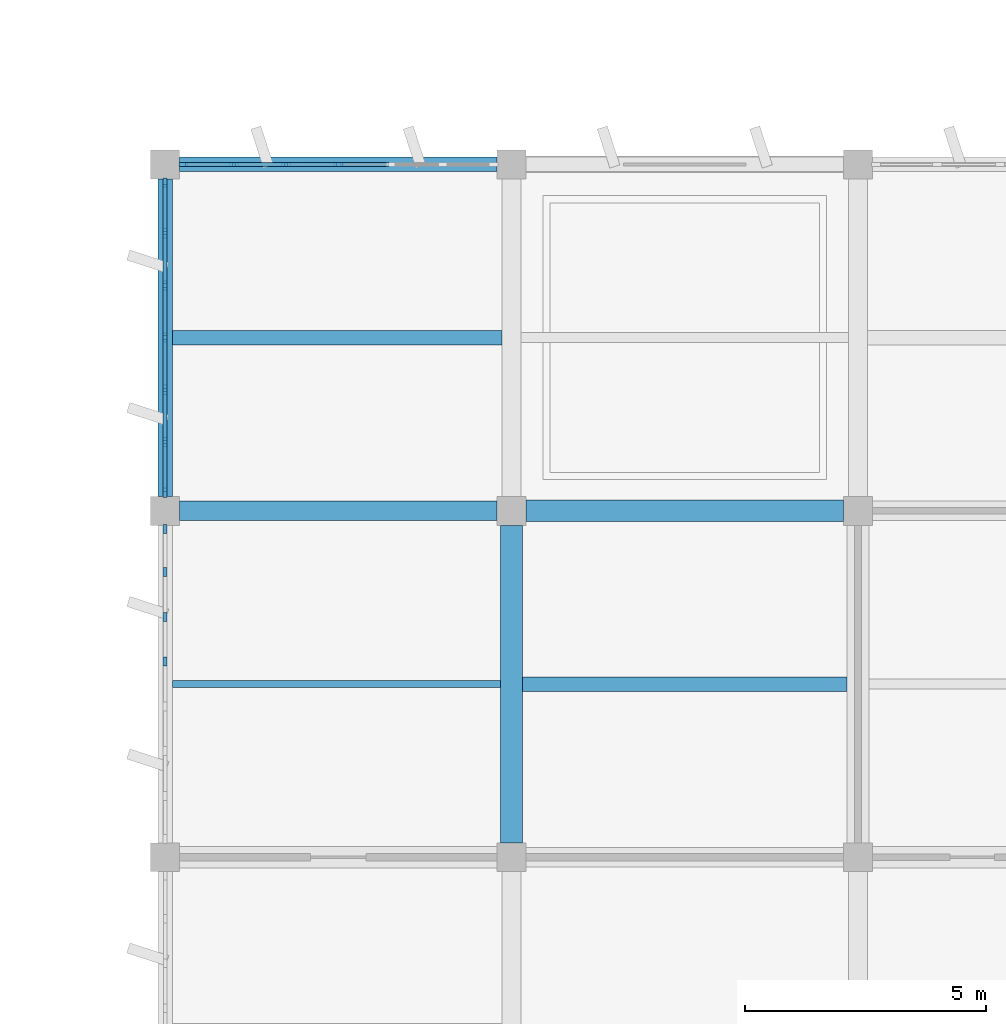
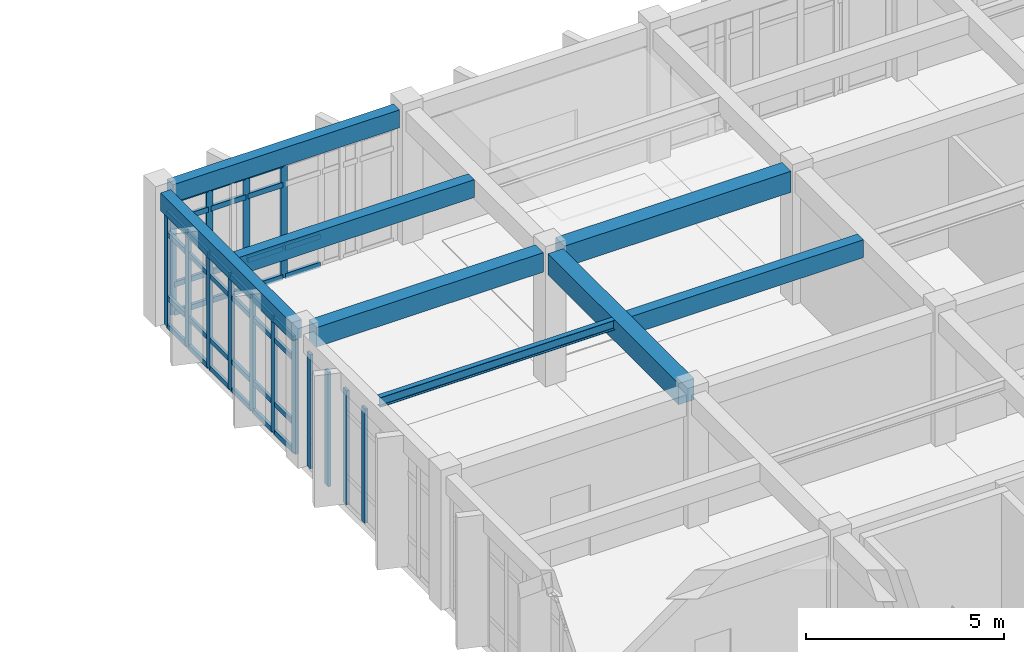
# One storey, part 9 of 70: 54 members, 7 beams, 3 elements without a shape of their own.
"""IFC4 building model written with IfcOpenShell, lengths in metres."""

import ifcopenshell
import ifcopenshell.guid

model = None  # the IFC model being written
_history = None  # IfcOwnerHistory: only IFC2X3 demands one
_inside = {}  # id of a spatial element -> (the spatial element, [elements in it])
_under = {}  # id of a project, library or spatial element -> (it, [spatial elements below it])
_declared = {}  # id of a project -> (the project, [libraries it declares])
_typed = {}  # id of a type object -> (the type object, [elements of that type])
_made_of = {}  # id of a material, layer set ... -> (it, [elements and type objects made of it])


def new_model(schema):
    """Start an empty IFC model of exactly this schema.

    Asked for "IFC4X3", IfcOpenShell would pick the latest addendum, in which some entities
    have other attributes; the version numbers below select the first issue.
    IFC2X3 requires an IfcOwnerHistory on every rooted entity: one is made here for all.
    """
    global model, _history
    if schema == "IFC4X3":
        model = ifcopenshell.file(schema_version=(4, 3, 0, 0))
    else:
        model = ifcopenshell.file(schema=schema)
    _inside.clear()
    _under.clear()
    _declared.clear()
    _typed.clear()
    _made_of.clear()
    _history = None
    if model.schema == "IFC2X3":
        org = make("IfcOrganization", Name="unknown")
        user = make(
            "IfcPersonAndOrganization",
            ThePerson=make("IfcPerson", FamilyName="unknown"),
            TheOrganization=org,
        )
        app = make(
            "IfcApplication",
            ApplicationDeveloper=org,
            Version="unknown",
            ApplicationFullName="unknown",
            ApplicationIdentifier="unknown",
        )
        _history = make(
            "IfcOwnerHistory",
            OwningUser=user,
            OwningApplication=app,
            ChangeAction="ADDED",
            CreationDate=0,
        )
    return model


def make(cls, **values):
    """One entity of the class cls with the attributes given. An attribute that is None is left unset."""
    return model.create_entity(
        cls, **{name: value for name, value in values.items() if value is not None}
    )


def rooted(cls, **values):
    """An entity with a GlobalId (a new one), such as an element, a storey or a relation."""
    return make(cls, GlobalId=ifcopenshell.guid.new(), OwnerHistory=_history, **values)


def si_unit(unit_type, name, prefix=None):
    """IfcSIUnit, for example si_unit("LENGTHUNIT", "METRE", prefix="MILLI")."""
    return make("IfcSIUnit", UnitType=unit_type, Prefix=prefix, Name=name)


def assignment(units):
    """IfcUnitAssignment: the units of a project."""
    return None if units is None else make("IfcUnitAssignment", Units=units)


def point(xyz):
    """IfcCartesianPoint."""
    return None if xyz is None else make("IfcCartesianPoint", Coordinates=xyz)


def direction(xyz):
    """IfcDirection."""
    return None if xyz is None else make("IfcDirection", DirectionRatios=xyz)


def frame(location, z_axis=None, x_axis=None):
    """IfcAxis2Placement3D, a coordinate frame: its origin and axes. An axis left out is left unset."""
    return make(
        "IfcAxis2Placement3D",
        Location=point(location),
        Axis=direction(z_axis),
        RefDirection=direction(x_axis),
    )


def frame_2d(location, x_axis=None):
    """IfcAxis2Placement2D, a coordinate frame in the plane: its origin and x axis."""
    return make(
        "IfcAxis2Placement2D", Location=point(location), RefDirection=direction(x_axis)
    )


def origin():
    """The frame at (0, 0, 0) with its axes left unset."""
    return frame((0.0, 0.0, 0.0))


def origin_2d():
    """The frame at (0, 0) in the plane with its x axis left unset."""
    return frame_2d((0.0, 0.0))


def place(relative_to, where):
    """IfcLocalPlacement: puts the frame where relative to a parent placement (None: the world)."""
    return make(
        "IfcLocalPlacement", PlacementRelTo=relative_to, RelativePlacement=where
    )


def context(
    kind, dimensions, precision=None, world=None, true_north=None, identifier=None
):
    """IfcGeometricRepresentationContext, for example the 3D "Model" context."""
    return make(
        "IfcGeometricRepresentationContext",
        ContextIdentifier=identifier,
        ContextType=kind,
        CoordinateSpaceDimension=dimensions,
        Precision=precision,
        WorldCoordinateSystem=world,
        TrueNorth=true_north,
    )


def subcontext(parent, identifier, kind, view, scale=None):
    """IfcGeometricRepresentationSubContext, for example "Body" below "Model"."""
    return make(
        "IfcGeometricRepresentationSubContext",
        ContextIdentifier=identifier,
        ContextType=kind,
        ParentContext=parent,
        TargetScale=scale,
        TargetView=view,
    )


def project(units=None, contexts=None):
    """IfcProject with its units and contexts."""
    return rooted(
        "IfcProject",
        Name="project",
        RepresentationContexts=contexts,
        UnitsInContext=assignment(units),
    )


def spatial(cls, under=None, at=None, **own):
    """A site, building, storey or space (cls), placed at a placement, below another one or the project."""
    s = rooted(cls, ObjectPlacement=at, **own)
    if under is not None:
        _under.setdefault(under.id(), (under, []))[1].append(s)
    return s


def profile(cls, at=None, kind="AREA", **sizes):
    """A parametric profile (cls). Its sizes go by their IFC names, for example OverallWidth=200.0."""
    return make(cls, ProfileType=kind, Position=at, **sizes)


def rectangle(**sizes):
    """IfcRectangleProfileDef."""
    return profile("IfcRectangleProfileDef", **sizes)


def i_section(**sizes):
    """IfcIShapeProfileDef."""
    return profile("IfcIShapeProfileDef", **sizes)


def extrude(swept, where, along, depth):
    """IfcExtrudedAreaSolid: the profile swept, set in the frame where, extruded along a direction by depth."""
    return make(
        "IfcExtrudedAreaSolid",
        SweptArea=swept,
        Position=where,
        ExtrudedDirection=direction(along),
        Depth=depth,
    )


def shape(context_of_items, identifier, shape_type, items):
    """IfcShapeRepresentation: the items that make up one representation, for example the "Body"."""
    return make(
        "IfcShapeRepresentation",
        ContextOfItems=context_of_items,
        RepresentationIdentifier=identifier,
        RepresentationType=shape_type,
        Items=items,
    )


def material(Name=None, Category=None):
    """IfcMaterial."""
    return make("IfcMaterial", Name=Name, Category=Category)


def layer(
    of_material, thickness, ventilated=None, Name=None, Category=None, Priority=None
):
    """IfcMaterialLayer: one layer of a wall or slab, of a material (None: an air gap)."""
    return make(
        "IfcMaterialLayer",
        Material=of_material,
        LayerThickness=thickness,
        IsVentilated=ventilated,
        Name=Name,
        Category=Category,
        Priority=Priority,
    )


def layer_set(layers, Name=None):
    """IfcMaterialLayerSet."""
    return make("IfcMaterialLayerSet", MaterialLayers=layers, LayerSetName=Name)


def material_profile(
    of_material, cross_section, Name=None, Category=None, Priority=None
):
    """IfcMaterialProfile: a cross section and its material."""
    return make(
        "IfcMaterialProfile",
        Name=Name,
        Material=of_material,
        Profile=cross_section,
        Priority=Priority,
        Category=Category,
    )


def profile_set(profiles, Name=None, composite=None):
    """IfcMaterialProfileSet."""
    return make(
        "IfcMaterialProfileSet",
        Name=Name,
        MaterialProfiles=profiles,
        CompositeProfile=composite,
    )


def made_of(thing, what):
    """Note that an element or type object is made of a material, layer set ...; save() writes the relation."""
    if what is not None:
        _made_of.setdefault(what.id(), (what, []))[1].append(thing)
    return thing


def type_object(cls, material=None, **own):
    """A type object (cls), such as IfcWallType, which elements share."""
    return made_of(rooted(cls, **own), material)


def element(
    cls,
    number,
    at=None,
    inside=None,
    cuts=None,
    type_object=None,
    material=None,
    context=None,
    identifier="Body",
    shape_type=None,
    held_by="IfcProductDefinitionShape",
    body=None,
    shapes=None,
    **own,
):
    """One element of the class cls, such as IfcWall. Its Tag is "e" and its number.

    at: its placement. inside: the storey or other place that contains it. cuts: it is an
    opening in that element (IfcRelVoidsElement). A single representation is given by context,
    identifier, shape_type and body (its items); several are given by shapes. held_by: the class
    of the entity that holds the representations. save() writes the other relations.
    """
    e = rooted(cls, Tag="e%d" % number, ObjectPlacement=at, **own)
    if body is not None:
        shapes = [shape(context, identifier, shape_type, body)]
    if shapes is not None:
        e.Representation = make(held_by, Representations=shapes)
    if inside is not None:
        _inside.setdefault(inside.id(), (inside, []))[1].append(e)
    if cuts is not None:
        rooted(
            "IfcRelVoidsElement", RelatingBuildingElement=cuts, RelatedOpeningElement=e
        )
    if type_object is not None:
        _typed.setdefault(type_object.id(), (type_object, []))[1].append(e)
    return made_of(e, material)


def aggregate(whole, parts):
    """IfcRelAggregates: a whole, such as a stair, and the parts it consists of."""
    return rooted("IfcRelAggregates", RelatingObject=whole, RelatedObjects=parts)


def save(model, path):
    """Write the relations noted so far, then the file.

    IfcRelAggregates (storeys below a building ...), IfcRelContainedInSpatialStructure (elements
    in a storey), IfcRelDefinesByType, IfcRelAssociatesMaterial and IfcRelDeclares: one each for
    every whole, place, type object, material and project.
    """
    for whole, parts in _under.values():
        aggregate(whole, parts)
    for where, things in _inside.values():
        rooted(
            "IfcRelContainedInSpatialStructure",
            RelatedElements=things,
            RelatingStructure=where,
        )
    for kind, things in _typed.values():
        rooted("IfcRelDefinesByType", RelatedObjects=things, RelatingType=kind)
    for what, things in _made_of.values():
        rooted("IfcRelAssociatesMaterial", RelatedObjects=things, RelatingMaterial=what)
    for by, libraries in _declared.values():
        rooted("IfcRelDeclares", RelatingContext=by, RelatedDefinitions=libraries)
    model.write(path)


model = new_model("IFC4")

# Units and contexts
model_context = context("Model", 3, precision=1e-05, world=origin(), true_north=direction((0.0, 1.0)))
body_context = subcontext(model_context, "Body", "Model", "MODEL_VIEW")
ifc_project = project(units=[si_unit("LENGTHUNIT", "METRE"), si_unit("AREAUNIT", "SQUARE_METRE"), si_unit("VOLUMEUNIT", "CUBIC_METRE"), si_unit("PLANEANGLEUNIT", "RADIAN"), si_unit("MASSUNIT", "GRAM", prefix="KILO")], contexts=[model_context])

# Site, building, storey
site_placement = place(None, origin())
site = spatial("IfcSite", under=ifc_project, at=site_placement, CompositionType="ELEMENT")
building_placement = place(site_placement, origin())
building = spatial("IfcBuilding", under=site, at=building_placement, Name="Kavelor Marine Aquarium", CompositionType="ELEMENT")
storey_placement = place(building_placement, frame((0.0, 0.0, 9.179931640625)))
storey = spatial("IfcBuildingStorey", under=building, at=storey_placement, Name="L02", CompositionType="ELEMENT", Elevation=9.179931640625)

# Beams
ifc_material_1 = material(Name="Concrete C40/50", Category="concrete")
ifc_material_profile_1 = material_profile(ifc_material_1, rectangle(XDim=0.449951171875, YDim=0.64990234375, at=origin_2d()), Name="RC-BM 450x650")
ifc_profile_set_1 = profile_set([ifc_material_profile_1], Name="Concrete C40/50")
beam_type_1 = type_object("IfcBeamType", Name="BM-B3", PredefinedType="BEAM", material=ifc_profile_set_1)
for number, where, z_axis, x_axis, name in (
    (1, (125.89990234375, 24.39990234375, 3.755126953125), (1.0, 0.0, 0.0), (0.0, 1.0, 0.0), "bm:x:L02:L03:17_03"),
    (2, (125.60009765625, 17.5, 3.755126953125), (0.0, 1.0, 0.0), (-1.0, 0.0, 0.0), "bm:y:L02:L03:17_02"),
):
    element("IfcBeam", number, at=place(storey_placement, frame(where, z_axis=z_axis, x_axis=x_axis)), inside=storey, type_object=beam_type_1, Name=name, PredefinedType="BEAM", context=body_context, shape_type="SweptSolid", body=[
        extrude(rectangle(XDim=0.449951171875, YDim=0.64990234375, at=origin_2d()), origin(), (0.0, 0.0, 1.0), 6.60009765625),
    ])
ifc_material_2 = material(Name="Concrete C40/50", Category="concrete")
ifc_material_profile_2 = material_profile(ifc_material_2, rectangle(XDim=0.39990234375, YDim=0.60009765625, at=origin_2d()), Name="RC-BM 400x600")
ifc_profile_set_2 = profile_set([ifc_material_profile_2], Name="Concrete C40/50")
beam_type_2 = type_object("IfcBeamType", Name="BM-B4", PredefinedType="BEAM", material=ifc_profile_set_2)
beam_1_placement = place(storey_placement, frame((118.699951171875, 24.39990234375, 3.780029296875), z_axis=(1.0, 0.0, 0.0), x_axis=(0.0, 1.0, 0.0)))
element("IfcBeam", 3, at=beam_1_placement, inside=storey, type_object=beam_type_2, Name="bm:x:L02:L03:16_03", PredefinedType="BEAM", context=body_context, shape_type="SweptSolid", body=[
    extrude(rectangle(XDim=0.39990234375, YDim=0.60009765625, at=origin_2d()), origin(), (0.0, 0.0, 1.0), 6.60009765625),
])
ifc_material_3 = material(Name="Concrete C40/50", Category="concrete")
ifc_material_profile_3 = material_profile(ifc_material_3, rectangle(XDim=0.300048828125, YDim=0.550048828125, at=origin_2d()), Name="RC-JS 300x550")
ifc_profile_set_3 = profile_set([ifc_material_profile_3], Name="Concrete C40/50")
beam_type_3 = type_object("IfcBeamType", Name="BM-JS2", PredefinedType="JOIST", material=ifc_profile_set_3)
beam_2_placement = place(storey_placement, frame((118.550048828125, 28.0, 3.80517578125), z_axis=(1.0, 0.0, 0.0), x_axis=(0.0, 1.0, 0.0)))
element("IfcBeam", 4, at=beam_2_placement, inside=storey, type_object=beam_type_3, Name="js:L02:L03:16_03", PredefinedType="JOIST", context=body_context, shape_type="SweptSolid", body=[
    extrude(rectangle(XDim=0.300048828125, YDim=0.550048828125, at=origin_2d()), origin(), (0.0, 0.0, 1.0), 6.849853515625),
])
beam_3_placement = place(storey_placement, frame((125.824951171875, 20.800048828125, 3.80517578125), z_axis=(1.0, 0.0, 0.0), x_axis=(0.0, 1.0, 0.0)))
element("IfcBeam", 5, at=beam_3_placement, inside=storey, type_object=beam_type_3, Name="js:L02:L03:17_02", PredefinedType="JOIST", context=body_context, shape_type="SweptSolid", body=[
    extrude(rectangle(XDim=0.300048828125, YDim=0.550048828125, at=origin_2d()), origin(), (0.0, 0.0, 1.0), 6.75),
])
ifc_material_4 = material(Name="Concrete C40/50", Category="concrete")
ifc_material_profile_4 = material_profile(ifc_material_4, rectangle(XDim=0.300048828125, YDim=0.550048828125, at=origin_2d()), Name="RC-SP 300x550")
ifc_profile_set_4 = profile_set([ifc_material_profile_4], Name="Concrete C40/50")
beam_type_4 = type_object("IfcBeamType", Name="BM-SP2", PredefinedType="SPANDREL", material=ifc_profile_set_4)
for number, where, z_axis, x_axis, name in (
    (6, (118.699951171875, 31.60009765625, 3.80517578125), (1.0, 0.0, 0.0), (0.0, 1.0, 0.0), "bm:x:L02:L03:16_04"),
    (7, (118.39990234375, 24.699951171875, 3.80517578125), (0.0, 1.0, 0.0), (-1.0, 0.0, 0.0), "bm:y:L02:L03:16_03"),
):
    element("IfcBeam", number, at=place(storey_placement, frame(where, z_axis=z_axis, x_axis=x_axis)), inside=storey, type_object=beam_type_4, Name=name, PredefinedType="SPANDREL", context=body_context, shape_type="SweptSolid", body=[
        extrude(rectangle(XDim=0.300048828125, YDim=0.550048828125, at=origin_2d()), origin(), (0.0, 0.0, 1.0), 6.60009765625),
    ])

# Curtain wall, members
ifc_material_5 = material(Name="Thermally Broken Aluminium and Low-E Glass", Category="aluminium")
ifc_layer_1 = layer(ifc_material_5, 0.179931640625)
ifc_layer_set_1 = layer_set([ifc_layer_1], Name="CW-SYS5")
curtain_wall_type_1 = type_object("IfcCurtainWallType", Name="CW-SYS5", PredefinedType="USERDEFINED", material=ifc_layer_set_1)
curtain_wall_1_placement = place(storey_placement, origin())
curtain_wall_1 = element("IfcCurtainWall", 8, at=curtain_wall_1_placement, inside=storey, type_object=curtain_wall_type_1, Name="cw:x:L02:16_04", ObjectType="Curtain Wall", PredefinedType="USERDEFINED")
ifc_material_6 = material(Name="Anodised Aluminium Alloy 6063-T6", Category="aluminium")
ifc_material_profile_5 = material_profile(ifc_material_6, rectangle(XDim=0.080078125, YDim=0.18505859375, at=origin_2d()), Name="CW-MUL 80x185")
ifc_profile_set_5 = profile_set([ifc_material_profile_5], Name="Anodised Aluminium Alloy 6063-T6")
member_type_1 = type_object("IfcMemberType", Name="CWM-2", PredefinedType="MULLION", material=ifc_profile_set_5)
member_1_placement = place(storey_placement, frame((118.777587890625, 31.60009765625, 0.0), z_axis=(0.0, 0.0, 1.0), x_axis=(0.0, 1.0, 0.0)))
member_1 = element("IfcMember", 9, at=member_1_placement, type_object=member_type_1, Name="CW05 mullion 1", PredefinedType="MULLION", context=body_context, shape_type="SweptSolid", body=[
    extrude(rectangle(XDim=0.080078125, YDim=0.18505859375, at=origin_2d()), origin(), (0.0, 0.0, 1.0), 3.52001953125),
])
member_2_placement = place(storey_placement, frame((119.830078125, 31.60009765625, 0.0), z_axis=(0.0, 0.0, 1.0), x_axis=(0.0, 1.0, 0.0)))
member_2 = element("IfcMember", 10, at=member_2_placement, type_object=member_type_1, Name="CW05 mullion 2", PredefinedType="MULLION", context=body_context, shape_type="SweptSolid", body=[
    extrude(rectangle(XDim=0.080078125, YDim=0.18505859375, at=origin_2d()), origin(), (0.0, 0.0, 1.0), 3.52001953125),
])
member_3_placement = place(storey_placement, frame((120.9150390625, 31.60009765625, 0.0), z_axis=(0.0, 0.0, 1.0), x_axis=(0.0, 1.0, 0.0)))
member_3 = element("IfcMember", 11, at=member_3_placement, type_object=member_type_1, Name="CW05 mullion 3", PredefinedType="MULLION", context=body_context, shape_type="SweptSolid", body=[
    extrude(rectangle(XDim=0.080078125, YDim=0.18505859375, at=origin_2d()), origin(), (0.0, 0.0, 1.0), 3.52001953125),
])
member_4_placement = place(storey_placement, frame((122.0, 31.60009765625, 0.0), z_axis=(0.0, 0.0, 1.0), x_axis=(0.0, 1.0, 0.0)))
member_4 = element("IfcMember", 12, at=member_4_placement, type_object=member_type_1, Name="CW05 mullion 4", PredefinedType="MULLION", context=body_context, shape_type="SweptSolid", body=[
    extrude(rectangle(XDim=0.080078125, YDim=0.18505859375, at=origin_2d()), origin(), (0.0, 0.0, 1.0), 3.52001953125),
])

ifc_material_7 = material(Name="Thermally Broken Aluminium and Low-E Glass", Category="aluminium")
ifc_layer_2 = layer(ifc_material_7, 0.156005859375)
ifc_layer_set_2 = layer_set([ifc_layer_2], Name="CW-SYS2")
curtain_wall_type_2 = type_object("IfcCurtainWallType", Name="CW-SYS2", PredefinedType="USERDEFINED", material=ifc_layer_set_2)
curtain_wall_2_placement = place(storey_placement, origin())
curtain_wall_2 = element("IfcCurtainWall", 13, at=curtain_wall_2_placement, inside=storey, type_object=curtain_wall_type_2, Name="cw:y:L02:16_02", ObjectType="Curtain Wall", PredefinedType="USERDEFINED")
member_5_placement = place(storey_placement, frame((118.39990234375, 24.0224609375, 0.0), z_axis=(0.0, 0.0, 1.0), x_axis=(1.0, 0.0, 0.0)))
member_5 = element("IfcMember", 14, at=member_5_placement, type_object=member_type_1, Name="CW02 mullion 1", PredefinedType="MULLION", context=body_context, shape_type="SweptSolid", body=[
    extrude(rectangle(XDim=0.080078125, YDim=0.18505859375, at=origin_2d()), origin(), (0.0, 0.0, 1.0), 3.52001953125),
])
member_6_placement = place(storey_placement, frame((118.39990234375, 23.125, 0.0), z_axis=(0.0, 0.0, 1.0), x_axis=(1.0, 0.0, 0.0)))
member_6 = element("IfcMember", 15, at=member_6_placement, type_object=member_type_1, Name="CW02 mullion 2", PredefinedType="MULLION", context=body_context, shape_type="SweptSolid", body=[
    extrude(rectangle(XDim=0.080078125, YDim=0.18505859375, at=origin_2d()), origin(), (0.0, 0.0, 1.0), 3.52001953125),
])
member_7_placement = place(storey_placement, frame((118.39990234375, 22.195068359375, 0.0), z_axis=(0.0, 0.0, 1.0), x_axis=(1.0, 0.0, 0.0)))
member_7 = element("IfcMember", 16, at=member_7_placement, type_object=member_type_1, Name="CW02 mullion 3", PredefinedType="MULLION", context=body_context, shape_type="SweptSolid", body=[
    extrude(rectangle(XDim=0.080078125, YDim=0.18505859375, at=origin_2d()), origin(), (0.0, 0.0, 1.0), 3.52001953125),
])
member_8_placement = place(storey_placement, frame((118.39990234375, 21.264892578125, 0.0), z_axis=(0.0, 0.0, 1.0), x_axis=(1.0, 0.0, 0.0)))
member_8 = element("IfcMember", 17, at=member_8_placement, type_object=member_type_1, Name="CW02 mullion 4", PredefinedType="MULLION", context=body_context, shape_type="SweptSolid", body=[
    extrude(rectangle(XDim=0.080078125, YDim=0.18505859375, at=origin_2d()), origin(), (0.0, 0.0, 1.0), 3.52001953125),
])
aggregate(curtain_wall_2, [member_5, member_6, member_7, member_8])

ifc_material_8 = material(Name="Thermally Broken Aluminium and Low-E Glass", Category="aluminium")
ifc_layer_3 = layer(ifc_material_8, 0.1640625)
ifc_layer_set_3 = layer_set([ifc_layer_3], Name="CW-SYS3")
curtain_wall_type_3 = type_object("IfcCurtainWallType", Name="CW-SYS3", PredefinedType="USERDEFINED", material=ifc_layer_set_3)
curtain_wall_3_placement = place(storey_placement, origin())
curtain_wall_3 = element("IfcCurtainWall", 18, at=curtain_wall_3_placement, inside=storey, type_object=curtain_wall_type_3, Name="cw:y:L02:16_03", ObjectType="Curtain Wall", PredefinedType="USERDEFINED")
ifc_material_9 = material(Name="Anodised Aluminium Alloy 6063-T6", Category="aluminium")
ifc_material_profile_6 = material_profile(ifc_material_9, rectangle(XDim=0.0849609375, YDim=0.18994140625, at=origin_2d()), Name="CW-MUL 85x190")
ifc_profile_set_6 = profile_set([ifc_material_profile_6], Name="Anodised Aluminium Alloy 6063-T6")
member_type_2 = type_object("IfcMemberType", Name="CWM-3", PredefinedType="MULLION", material=ifc_profile_set_6)
member_9_placement = place(storey_placement, frame((118.39990234375, 31.22509765625, 0.0), z_axis=(0.0, 0.0, 1.0), x_axis=(1.0, 0.0, 0.0)))
member_9 = element("IfcMember", 19, at=member_9_placement, type_object=member_type_2, Name="CW03 mullion 1", PredefinedType="MULLION", context=body_context, shape_type="SweptSolid", body=[
    extrude(rectangle(XDim=0.0849609375, YDim=0.18994140625, at=origin_2d()), origin(), (0.0, 0.0, 1.0), 3.52001953125),
])
member_10_placement = place(storey_placement, frame((118.39990234375, 30.169921875, 0.0), z_axis=(0.0, 0.0, 1.0), x_axis=(1.0, 0.0, 0.0)))
member_10 = element("IfcMember", 20, at=member_10_placement, type_object=member_type_2, Name="CW03 mullion 2", PredefinedType="MULLION", context=body_context, shape_type="SweptSolid", body=[
    extrude(rectangle(XDim=0.0849609375, YDim=0.18994140625, at=origin_2d()), origin(), (0.0, 0.0, 1.0), 3.52001953125),
])
member_11_placement = place(storey_placement, frame((118.39990234375, 29.0849609375, 0.0), z_axis=(0.0, 0.0, 1.0), x_axis=(1.0, 0.0, 0.0)))
member_11 = element("IfcMember", 21, at=member_11_placement, type_object=member_type_2, Name="CW03 mullion 3", PredefinedType="MULLION", context=body_context, shape_type="SweptSolid", body=[
    extrude(rectangle(XDim=0.0849609375, YDim=0.18994140625, at=origin_2d()), origin(), (0.0, 0.0, 1.0), 3.52001953125),
])
member_12_placement = place(storey_placement, frame((118.39990234375, 28.0, 0.0), z_axis=(0.0, 0.0, 1.0), x_axis=(1.0, 0.0, 0.0)))
member_12 = element("IfcMember", 22, at=member_12_placement, type_object=member_type_2, Name="CW03 mullion 4", PredefinedType="MULLION", context=body_context, shape_type="SweptSolid", body=[
    extrude(rectangle(XDim=0.0849609375, YDim=0.18994140625, at=origin_2d()), origin(), (0.0, 0.0, 1.0), 3.52001953125),
])
member_13_placement = place(storey_placement, frame((118.39990234375, 26.9150390625, 0.0), z_axis=(0.0, 0.0, 1.0), x_axis=(1.0, 0.0, 0.0)))
member_13 = element("IfcMember", 23, at=member_13_placement, type_object=member_type_2, Name="CW03 mullion 5", PredefinedType="MULLION", context=body_context, shape_type="SweptSolid", body=[
    extrude(rectangle(XDim=0.0849609375, YDim=0.18994140625, at=origin_2d()), origin(), (0.0, 0.0, 1.0), 3.52001953125),
])
member_14_placement = place(storey_placement, frame((118.39990234375, 25.830078125, 0.0), z_axis=(0.0, 0.0, 1.0), x_axis=(1.0, 0.0, 0.0)))
member_14 = element("IfcMember", 24, at=member_14_placement, type_object=member_type_2, Name="CW03 mullion 6", PredefinedType="MULLION", context=body_context, shape_type="SweptSolid", body=[
    extrude(rectangle(XDim=0.0849609375, YDim=0.18994140625, at=origin_2d()), origin(), (0.0, 0.0, 1.0), 3.52001953125),
])
member_15_placement = place(storey_placement, frame((118.39990234375, 24.77490234375, 0.0), z_axis=(0.0, 0.0, 1.0), x_axis=(1.0, 0.0, 0.0)))
member_15 = element("IfcMember", 25, at=member_15_placement, type_object=member_type_2, Name="CW03 mullion 7", PredefinedType="MULLION", context=body_context, shape_type="SweptSolid", body=[
    extrude(rectangle(XDim=0.0849609375, YDim=0.18994140625, at=origin_2d()), origin(), (0.0, 0.0, 1.0), 3.52001953125),
])
ifc_material_10 = material(Name="Anodised Aluminium Alloy 6063-T6", Category="aluminium")
ifc_material_profile_7 = material_profile(ifc_material_10, rectangle(XDim=0.080078125, YDim=0.155029296875, at=origin_2d()), Name="CW-TRN 80x155")
ifc_profile_set_7 = profile_set([ifc_material_profile_7], Name="Anodised Aluminium Alloy 6063-T6")
member_type_3 = type_object("IfcMemberType", Name="CWT-2", PredefinedType="USERDEFINED", material=ifc_profile_set_7)
member_16_placement = place(storey_placement, frame((118.39990234375, 31.195068359375, 0.032470703125), z_axis=(0.0, -1.0, 0.0), x_axis=(1.0, 0.0, 0.0)))
member_16 = element("IfcMember", 26, at=member_16_placement, type_object=member_type_3, Name="CW03 transom 1.1", ObjectType="TRANSOM", PredefinedType="USERDEFINED", context=body_context, shape_type="SweptSolid", body=[
    extrude(rectangle(XDim=0.080078125, YDim=0.155029296875, at=origin_2d()), origin(), (0.0, 0.0, 1.0), 0.9951171875),
])
member_17_placement = place(storey_placement, frame((118.39990234375, 31.195068359375, 0.900146484375), z_axis=(0.0, -1.0, 0.0), x_axis=(1.0, 0.0, 0.0)))
member_17 = element("IfcMember", 27, at=member_17_placement, type_object=member_type_3, Name="CW03 transom 1.2", ObjectType="TRANSOM", PredefinedType="USERDEFINED", context=body_context, shape_type="SweptSolid", body=[
    extrude(rectangle(XDim=0.080078125, YDim=0.155029296875, at=origin_2d()), origin(), (0.0, 0.0, 1.0), 0.9951171875),
])
member_18_placement = place(storey_placement, frame((118.39990234375, 31.195068359375, 2.8701171875), z_axis=(0.0, -1.0, 0.0), x_axis=(1.0, 0.0, 0.0)))
member_18 = element("IfcMember", 28, at=member_18_placement, type_object=member_type_3, Name="CW03 transom 1.3", ObjectType="TRANSOM", PredefinedType="USERDEFINED", context=body_context, shape_type="SweptSolid", body=[
    extrude(rectangle(XDim=0.080078125, YDim=0.155029296875, at=origin_2d()), origin(), (0.0, 0.0, 1.0), 0.9951171875),
])
member_19_placement = place(storey_placement, frame((118.39990234375, 31.195068359375, 3.487548828125), z_axis=(0.0, -1.0, 0.0), x_axis=(1.0, 0.0, 0.0)))
member_19 = element("IfcMember", 29, at=member_19_placement, type_object=member_type_3, Name="CW03 transom 1.4", ObjectType="TRANSOM", PredefinedType="USERDEFINED", context=body_context, shape_type="SweptSolid", body=[
    extrude(rectangle(XDim=0.080078125, YDim=0.155029296875, at=origin_2d()), origin(), (0.0, 0.0, 1.0), 0.9951171875),
])
member_20_placement = place(storey_placement, frame((118.39990234375, 30.139892578125, 0.032470703125), z_axis=(0.0, -1.0, 0.0), x_axis=(1.0, 0.0, 0.0)))
member_20 = element("IfcMember", 30, at=member_20_placement, type_object=member_type_3, Name="CW03 transom 2.1", ObjectType="TRANSOM", PredefinedType="USERDEFINED", context=body_context, shape_type="SweptSolid", body=[
    extrude(rectangle(XDim=0.080078125, YDim=0.155029296875, at=origin_2d()), origin(), (0.0, 0.0, 1.0), 1.02490234375),
])
member_21_placement = place(storey_placement, frame((118.39990234375, 30.139892578125, 0.900146484375), z_axis=(0.0, -1.0, 0.0), x_axis=(1.0, 0.0, 0.0)))
member_21 = element("IfcMember", 31, at=member_21_placement, type_object=member_type_3, Name="CW03 transom 2.2", ObjectType="TRANSOM", PredefinedType="USERDEFINED", context=body_context, shape_type="SweptSolid", body=[
    extrude(rectangle(XDim=0.080078125, YDim=0.155029296875, at=origin_2d()), origin(), (0.0, 0.0, 1.0), 1.02490234375),
])
member_22_placement = place(storey_placement, frame((118.39990234375, 30.139892578125, 2.8701171875), z_axis=(0.0, -1.0, 0.0), x_axis=(1.0, 0.0, 0.0)))
member_22 = element("IfcMember", 32, at=member_22_placement, type_object=member_type_3, Name="CW03 transom 2.3", ObjectType="TRANSOM", PredefinedType="USERDEFINED", context=body_context, shape_type="SweptSolid", body=[
    extrude(rectangle(XDim=0.080078125, YDim=0.155029296875, at=origin_2d()), origin(), (0.0, 0.0, 1.0), 1.02490234375),
])
member_23_placement = place(storey_placement, frame((118.39990234375, 30.139892578125, 3.487548828125), z_axis=(0.0, -1.0, 0.0), x_axis=(1.0, 0.0, 0.0)))
member_23 = element("IfcMember", 33, at=member_23_placement, type_object=member_type_3, Name="CW03 transom 2.4", ObjectType="TRANSOM", PredefinedType="USERDEFINED", context=body_context, shape_type="SweptSolid", body=[
    extrude(rectangle(XDim=0.080078125, YDim=0.155029296875, at=origin_2d()), origin(), (0.0, 0.0, 1.0), 1.02490234375),
])
member_24_placement = place(storey_placement, frame((118.39990234375, 29.054931640625, 0.032470703125), z_axis=(0.0, -1.0, 0.0), x_axis=(1.0, 0.0, 0.0)))
member_24 = element("IfcMember", 34, at=member_24_placement, type_object=member_type_3, Name="CW03 transom 3.1", ObjectType="TRANSOM", PredefinedType="USERDEFINED", context=body_context, shape_type="SweptSolid", body=[
    extrude(rectangle(XDim=0.080078125, YDim=0.155029296875, at=origin_2d()), origin(), (0.0, 0.0, 1.0), 1.02490234375),
])
member_25_placement = place(storey_placement, frame((118.39990234375, 29.054931640625, 0.900146484375), z_axis=(0.0, -1.0, 0.0), x_axis=(1.0, 0.0, 0.0)))
member_25 = element("IfcMember", 35, at=member_25_placement, type_object=member_type_3, Name="CW03 transom 3.2", ObjectType="TRANSOM", PredefinedType="USERDEFINED", context=body_context, shape_type="SweptSolid", body=[
    extrude(rectangle(XDim=0.080078125, YDim=0.155029296875, at=origin_2d()), origin(), (0.0, 0.0, 1.0), 1.02490234375),
])
member_26_placement = place(storey_placement, frame((118.39990234375, 29.054931640625, 2.8701171875), z_axis=(0.0, -1.0, 0.0), x_axis=(1.0, 0.0, 0.0)))
member_26 = element("IfcMember", 36, at=member_26_placement, type_object=member_type_3, Name="CW03 transom 3.3", ObjectType="TRANSOM", PredefinedType="USERDEFINED", context=body_context, shape_type="SweptSolid", body=[
    extrude(rectangle(XDim=0.080078125, YDim=0.155029296875, at=origin_2d()), origin(), (0.0, 0.0, 1.0), 1.02490234375),
])
member_27_placement = place(storey_placement, frame((118.39990234375, 29.054931640625, 3.487548828125), z_axis=(0.0, -1.0, 0.0), x_axis=(1.0, 0.0, 0.0)))
member_27 = element("IfcMember", 37, at=member_27_placement, type_object=member_type_3, Name="CW03 transom 3.4", ObjectType="TRANSOM", PredefinedType="USERDEFINED", context=body_context, shape_type="SweptSolid", body=[
    extrude(rectangle(XDim=0.080078125, YDim=0.155029296875, at=origin_2d()), origin(), (0.0, 0.0, 1.0), 1.02490234375),
])
member_28_placement = place(storey_placement, frame((118.39990234375, 27.969970703125, 0.032470703125), z_axis=(0.0, -1.0, 0.0), x_axis=(1.0, 0.0, 0.0)))
member_28 = element("IfcMember", 38, at=member_28_placement, type_object=member_type_3, Name="CW03 transom 4.1", ObjectType="TRANSOM", PredefinedType="USERDEFINED", context=body_context, shape_type="SweptSolid", body=[
    extrude(rectangle(XDim=0.080078125, YDim=0.155029296875, at=origin_2d()), origin(), (0.0, 0.0, 1.0), 1.02490234375),
])
member_29_placement = place(storey_placement, frame((118.39990234375, 27.969970703125, 0.900146484375), z_axis=(0.0, -1.0, 0.0), x_axis=(1.0, 0.0, 0.0)))
member_29 = element("IfcMember", 39, at=member_29_placement, type_object=member_type_3, Name="CW03 transom 4.2", ObjectType="TRANSOM", PredefinedType="USERDEFINED", context=body_context, shape_type="SweptSolid", body=[
    extrude(rectangle(XDim=0.080078125, YDim=0.155029296875, at=origin_2d()), origin(), (0.0, 0.0, 1.0), 1.02490234375),
])
member_30_placement = place(storey_placement, frame((118.39990234375, 27.969970703125, 2.8701171875), z_axis=(0.0, -1.0, 0.0), x_axis=(1.0, 0.0, 0.0)))
member_30 = element("IfcMember", 40, at=member_30_placement, type_object=member_type_3, Name="CW03 transom 4.3", ObjectType="TRANSOM", PredefinedType="USERDEFINED", context=body_context, shape_type="SweptSolid", body=[
    extrude(rectangle(XDim=0.080078125, YDim=0.155029296875, at=origin_2d()), origin(), (0.0, 0.0, 1.0), 1.02490234375),
])
member_31_placement = place(storey_placement, frame((118.39990234375, 27.969970703125, 3.487548828125), z_axis=(0.0, -1.0, 0.0), x_axis=(1.0, 0.0, 0.0)))
member_31 = element("IfcMember", 41, at=member_31_placement, type_object=member_type_3, Name="CW03 transom 4.4", ObjectType="TRANSOM", PredefinedType="USERDEFINED", context=body_context, shape_type="SweptSolid", body=[
    extrude(rectangle(XDim=0.080078125, YDim=0.155029296875, at=origin_2d()), origin(), (0.0, 0.0, 1.0), 1.02490234375),
])
member_32_placement = place(storey_placement, frame((118.39990234375, 26.885009765625, 0.032470703125), z_axis=(0.0, -1.0, 0.0), x_axis=(1.0, 0.0, 0.0)))
member_32 = element("IfcMember", 42, at=member_32_placement, type_object=member_type_3, Name="CW03 transom 5.1", ObjectType="TRANSOM", PredefinedType="USERDEFINED", context=body_context, shape_type="SweptSolid", body=[
    extrude(rectangle(XDim=0.080078125, YDim=0.155029296875, at=origin_2d()), origin(), (0.0, 0.0, 1.0), 1.02490234375),
])
member_33_placement = place(storey_placement, frame((118.39990234375, 26.885009765625, 0.900146484375), z_axis=(0.0, -1.0, 0.0), x_axis=(1.0, 0.0, 0.0)))
member_33 = element("IfcMember", 43, at=member_33_placement, type_object=member_type_3, Name="CW03 transom 5.2", ObjectType="TRANSOM", PredefinedType="USERDEFINED", context=body_context, shape_type="SweptSolid", body=[
    extrude(rectangle(XDim=0.080078125, YDim=0.155029296875, at=origin_2d()), origin(), (0.0, 0.0, 1.0), 1.02490234375),
])
member_34_placement = place(storey_placement, frame((118.39990234375, 26.885009765625, 2.8701171875), z_axis=(0.0, -1.0, 0.0), x_axis=(1.0, 0.0, 0.0)))
member_34 = element("IfcMember", 44, at=member_34_placement, type_object=member_type_3, Name="CW03 transom 5.3", ObjectType="TRANSOM", PredefinedType="USERDEFINED", context=body_context, shape_type="SweptSolid", body=[
    extrude(rectangle(XDim=0.080078125, YDim=0.155029296875, at=origin_2d()), origin(), (0.0, 0.0, 1.0), 1.02490234375),
])
member_35_placement = place(storey_placement, frame((118.39990234375, 26.885009765625, 3.487548828125), z_axis=(0.0, -1.0, 0.0), x_axis=(1.0, 0.0, 0.0)))
member_35 = element("IfcMember", 45, at=member_35_placement, type_object=member_type_3, Name="CW03 transom 5.4", ObjectType="TRANSOM", PredefinedType="USERDEFINED", context=body_context, shape_type="SweptSolid", body=[
    extrude(rectangle(XDim=0.080078125, YDim=0.155029296875, at=origin_2d()), origin(), (0.0, 0.0, 1.0), 1.02490234375),
])
member_36_placement = place(storey_placement, frame((118.39990234375, 25.800048828125, 0.032470703125), z_axis=(0.0, -1.0, 0.0), x_axis=(1.0, 0.0, 0.0)))
member_36 = element("IfcMember", 46, at=member_36_placement, type_object=member_type_3, Name="CW03 transom 6.1", ObjectType="TRANSOM", PredefinedType="USERDEFINED", context=body_context, shape_type="SweptSolid", body=[
    extrude(rectangle(XDim=0.080078125, YDim=0.155029296875, at=origin_2d()), origin(), (0.0, 0.0, 1.0), 0.9951171875),
])
member_37_placement = place(storey_placement, frame((118.39990234375, 25.800048828125, 0.900146484375), z_axis=(0.0, -1.0, 0.0), x_axis=(1.0, 0.0, 0.0)))
member_37 = element("IfcMember", 47, at=member_37_placement, type_object=member_type_3, Name="CW03 transom 6.2", ObjectType="TRANSOM", PredefinedType="USERDEFINED", context=body_context, shape_type="SweptSolid", body=[
    extrude(rectangle(XDim=0.080078125, YDim=0.155029296875, at=origin_2d()), origin(), (0.0, 0.0, 1.0), 0.9951171875),
])
member_38_placement = place(storey_placement, frame((118.39990234375, 25.800048828125, 2.8701171875), z_axis=(0.0, -1.0, 0.0), x_axis=(1.0, 0.0, 0.0)))
member_38 = element("IfcMember", 48, at=member_38_placement, type_object=member_type_3, Name="CW03 transom 6.3", ObjectType="TRANSOM", PredefinedType="USERDEFINED", context=body_context, shape_type="SweptSolid", body=[
    extrude(rectangle(XDim=0.080078125, YDim=0.155029296875, at=origin_2d()), origin(), (0.0, 0.0, 1.0), 0.9951171875),
])
member_39_placement = place(storey_placement, frame((118.39990234375, 25.800048828125, 3.487548828125), z_axis=(0.0, -1.0, 0.0), x_axis=(1.0, 0.0, 0.0)))
member_39 = element("IfcMember", 49, at=member_39_placement, type_object=member_type_3, Name="CW03 transom 6.4", ObjectType="TRANSOM", PredefinedType="USERDEFINED", context=body_context, shape_type="SweptSolid", body=[
    extrude(rectangle(XDim=0.080078125, YDim=0.155029296875, at=origin_2d()), origin(), (0.0, 0.0, 1.0), 0.9951171875),
])
aggregate(curtain_wall_3, [member_9, member_10, member_11, member_12, member_13, member_14, member_15, member_16, member_17, member_18, member_19, member_20, member_21, member_22, member_23, member_24, member_25, member_26, member_27, member_28, member_29, member_30, member_31, member_32, member_33, member_34, member_35, member_36, member_37, member_38, member_39])

# Member
ifc_material_11 = material(Name="Anodised Aluminium Alloy 6063-T6", Category="aluminium")
ifc_material_profile_8 = material_profile(ifc_material_11, rectangle(XDim=0.0849609375, YDim=0.159912109375, at=origin_2d()), Name="CW-TRN 85x160")
ifc_profile_set_8 = profile_set([ifc_material_profile_8], Name="Anodised Aluminium Alloy 6063-T6")
member_type_4 = type_object("IfcMemberType", Name="CWT-3", PredefinedType="USERDEFINED", material=ifc_profile_set_8)
member_40_placement = place(storey_placement, frame((118.81005859375, 31.60009765625, 0.030029296875), z_axis=(1.0, 0.0, 0.0), x_axis=(0.0, 1.0, 0.0)))
member_40 = element("IfcMember", 50, at=member_40_placement, type_object=member_type_4, Name="CW05 transom 1.1", ObjectType="TRANSOM", PredefinedType="USERDEFINED", context=body_context, shape_type="SweptSolid", body=[
    extrude(rectangle(XDim=0.0849609375, YDim=0.159912109375, at=origin_2d()), origin(), (0.0, 0.0, 1.0), 0.987548828125),
])

member_41_placement = place(storey_placement, frame((118.81005859375, 31.60009765625, 0.900146484375), z_axis=(1.0, 0.0, 0.0), x_axis=(0.0, 1.0, 0.0)))
member_41 = element("IfcMember", 51, at=member_41_placement, type_object=member_type_4, Name="CW05 transom 1.2", ObjectType="TRANSOM", PredefinedType="USERDEFINED", context=body_context, shape_type="SweptSolid", body=[
    extrude(rectangle(XDim=0.0849609375, YDim=0.159912109375, at=origin_2d()), origin(), (0.0, 0.0, 1.0), 0.987548828125),
])

member_42_placement = place(storey_placement, frame((118.81005859375, 31.60009765625, 2.8701171875), z_axis=(1.0, 0.0, 0.0), x_axis=(0.0, 1.0, 0.0)))
member_42 = element("IfcMember", 52, at=member_42_placement, type_object=member_type_4, Name="CW05 transom 1.3", ObjectType="TRANSOM", PredefinedType="USERDEFINED", context=body_context, shape_type="SweptSolid", body=[
    extrude(rectangle(XDim=0.0849609375, YDim=0.159912109375, at=origin_2d()), origin(), (0.0, 0.0, 1.0), 0.987548828125),
])

member_43_placement = place(storey_placement, frame((118.81005859375, 31.60009765625, 3.489990234375), z_axis=(1.0, 0.0, 0.0), x_axis=(0.0, 1.0, 0.0)))
member_43 = element("IfcMember", 53, at=member_43_placement, type_object=member_type_4, Name="CW05 transom 1.4", ObjectType="TRANSOM", PredefinedType="USERDEFINED", context=body_context, shape_type="SweptSolid", body=[
    extrude(rectangle(XDim=0.0849609375, YDim=0.159912109375, at=origin_2d()), origin(), (0.0, 0.0, 1.0), 0.987548828125),
])

member_44_placement = place(storey_placement, frame((119.862548828125, 31.60009765625, 0.030029296875), z_axis=(1.0, 0.0, 0.0), x_axis=(0.0, 1.0, 0.0)))
member_44 = element("IfcMember", 54, at=member_44_placement, type_object=member_type_4, Name="CW05 transom 2.1", ObjectType="TRANSOM", PredefinedType="USERDEFINED", context=body_context, shape_type="SweptSolid", body=[
    extrude(rectangle(XDim=0.0849609375, YDim=0.159912109375, at=origin_2d()), origin(), (0.0, 0.0, 1.0), 1.02001953125),
])

member_45_placement = place(storey_placement, frame((119.862548828125, 31.60009765625, 0.900146484375), z_axis=(1.0, 0.0, 0.0), x_axis=(0.0, 1.0, 0.0)))
member_45 = element("IfcMember", 55, at=member_45_placement, type_object=member_type_4, Name="CW05 transom 2.2", ObjectType="TRANSOM", PredefinedType="USERDEFINED", context=body_context, shape_type="SweptSolid", body=[
    extrude(rectangle(XDim=0.0849609375, YDim=0.159912109375, at=origin_2d()), origin(), (0.0, 0.0, 1.0), 1.02001953125),
])

member_46_placement = place(storey_placement, frame((119.862548828125, 31.60009765625, 2.8701171875), z_axis=(1.0, 0.0, 0.0), x_axis=(0.0, 1.0, 0.0)))
member_46 = element("IfcMember", 56, at=member_46_placement, type_object=member_type_4, Name="CW05 transom 2.3", ObjectType="TRANSOM", PredefinedType="USERDEFINED", context=body_context, shape_type="SweptSolid", body=[
    extrude(rectangle(XDim=0.0849609375, YDim=0.159912109375, at=origin_2d()), origin(), (0.0, 0.0, 1.0), 1.02001953125),
])

member_47_placement = place(storey_placement, frame((119.862548828125, 31.60009765625, 3.489990234375), z_axis=(1.0, 0.0, 0.0), x_axis=(0.0, 1.0, 0.0)))
member_47 = element("IfcMember", 57, at=member_47_placement, type_object=member_type_4, Name="CW05 transom 2.4", ObjectType="TRANSOM", PredefinedType="USERDEFINED", context=body_context, shape_type="SweptSolid", body=[
    extrude(rectangle(XDim=0.0849609375, YDim=0.159912109375, at=origin_2d()), origin(), (0.0, 0.0, 1.0), 1.02001953125),
])

member_48_placement = place(storey_placement, frame((120.947509765625, 31.60009765625, 0.030029296875), z_axis=(1.0, 0.0, 0.0), x_axis=(0.0, 1.0, 0.0)))
member_48 = element("IfcMember", 58, at=member_48_placement, type_object=member_type_4, Name="CW05 transom 3.1", ObjectType="TRANSOM", PredefinedType="USERDEFINED", context=body_context, shape_type="SweptSolid", body=[
    extrude(rectangle(XDim=0.0849609375, YDim=0.159912109375, at=origin_2d()), origin(), (0.0, 0.0, 1.0), 1.02001953125),
])

member_49_placement = place(storey_placement, frame((120.947509765625, 31.60009765625, 0.900146484375), z_axis=(1.0, 0.0, 0.0), x_axis=(0.0, 1.0, 0.0)))
member_49 = element("IfcMember", 59, at=member_49_placement, type_object=member_type_4, Name="CW05 transom 3.2", ObjectType="TRANSOM", PredefinedType="USERDEFINED", context=body_context, shape_type="SweptSolid", body=[
    extrude(rectangle(XDim=0.0849609375, YDim=0.159912109375, at=origin_2d()), origin(), (0.0, 0.0, 1.0), 1.02001953125),
])

member_50_placement = place(storey_placement, frame((120.947509765625, 31.60009765625, 2.8701171875), z_axis=(1.0, 0.0, 0.0), x_axis=(0.0, 1.0, 0.0)))
member_50 = element("IfcMember", 60, at=member_50_placement, type_object=member_type_4, Name="CW05 transom 3.3", ObjectType="TRANSOM", PredefinedType="USERDEFINED", context=body_context, shape_type="SweptSolid", body=[
    extrude(rectangle(XDim=0.0849609375, YDim=0.159912109375, at=origin_2d()), origin(), (0.0, 0.0, 1.0), 1.02001953125),
])

member_51_placement = place(storey_placement, frame((120.947509765625, 31.60009765625, 3.489990234375), z_axis=(1.0, 0.0, 0.0), x_axis=(0.0, 1.0, 0.0)))
member_51 = element("IfcMember", 61, at=member_51_placement, type_object=member_type_4, Name="CW05 transom 3.4", ObjectType="TRANSOM", PredefinedType="USERDEFINED", context=body_context, shape_type="SweptSolid", body=[
    extrude(rectangle(XDim=0.0849609375, YDim=0.159912109375, at=origin_2d()), origin(), (0.0, 0.0, 1.0), 1.02001953125),
])

member_52_placement = place(storey_placement, frame((122.032470703125, 31.60009765625, 0.030029296875), z_axis=(1.0, 0.0, 0.0), x_axis=(0.0, 1.0, 0.0)))
member_52 = element("IfcMember", 62, at=member_52_placement, type_object=member_type_4, Name="CW05 transom 4.1", ObjectType="TRANSOM", PredefinedType="USERDEFINED", context=body_context, shape_type="SweptSolid", body=[
    extrude(rectangle(XDim=0.0849609375, YDim=0.159912109375, at=origin_2d()), origin(), (0.0, 0.0, 1.0), 1.02001953125),
])

member_53_placement = place(storey_placement, frame((122.032470703125, 31.60009765625, 0.900146484375), z_axis=(1.0, 0.0, 0.0), x_axis=(0.0, 1.0, 0.0)))
member_53 = element("IfcMember", 63, at=member_53_placement, type_object=member_type_4, Name="CW05 transom 4.2", ObjectType="TRANSOM", PredefinedType="USERDEFINED", context=body_context, shape_type="SweptSolid", body=[
    extrude(rectangle(XDim=0.0849609375, YDim=0.159912109375, at=origin_2d()), origin(), (0.0, 0.0, 1.0), 1.02001953125),
])

aggregate(curtain_wall_1, [member_1, member_2, member_3, member_4, member_40, member_41, member_42, member_43, member_44, member_45, member_46, member_47, member_48, member_49, member_50, member_51, member_52, member_53])

ifc_material_12 = material(Name="Steel S355", Category="steel")
ifc_material_profile_9 = material_profile(ifc_material_12, i_section(OverallWidth=0.14990234375, OverallDepth=0.300048828125, WebThickness=0.007080078125, FlangeThickness=0.0107421875, FilletRadius=0.014892578125, at=origin_2d()), Name="IPE 300")
ifc_profile_set_9 = profile_set([ifc_material_profile_9], Name="Steel S355")
member_type_5 = type_object("IfcMemberType", Name="PR-SJ4", PredefinedType="PURLIN", material=ifc_profile_set_9)
member_54_placement = place(storey_placement, frame((118.550048828125, 20.800048828125, 3.93017578125), z_axis=(1.0, 0.0, 0.0), x_axis=(0.0, 1.0, 0.0)))
element("IfcMember", 64, at=member_54_placement, inside=storey, type_object=member_type_5, Name="js:L02:L03:16_02", PredefinedType="PURLIN", context=body_context, shape_type="SweptSolid", body=[
    extrude(i_section(OverallWidth=0.14990234375, OverallDepth=0.300048828125, WebThickness=0.007080078125, FlangeThickness=0.0107421875, FilletRadius=0.014892578125, at=origin_2d()), origin(), (0.0, 0.0, 1.0), 6.824951171875),
])

save(model, "model.ifc")
